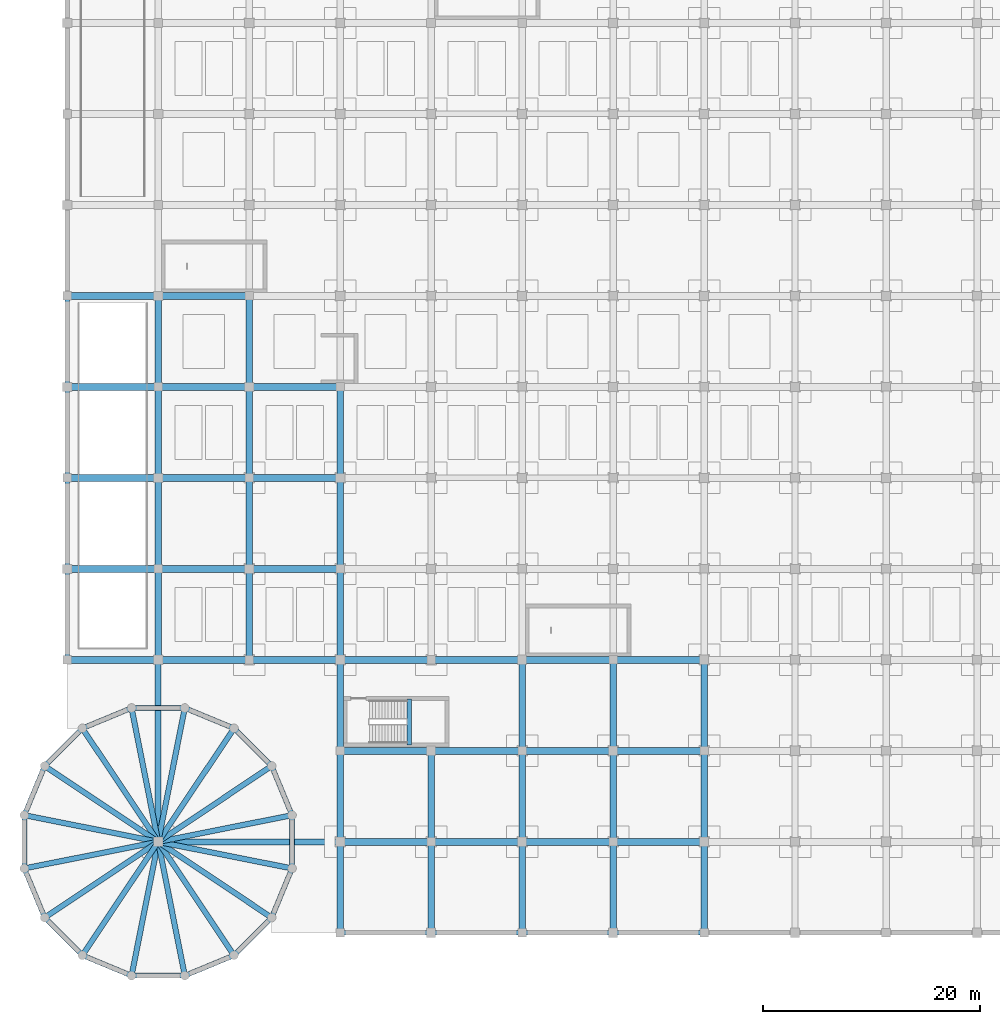
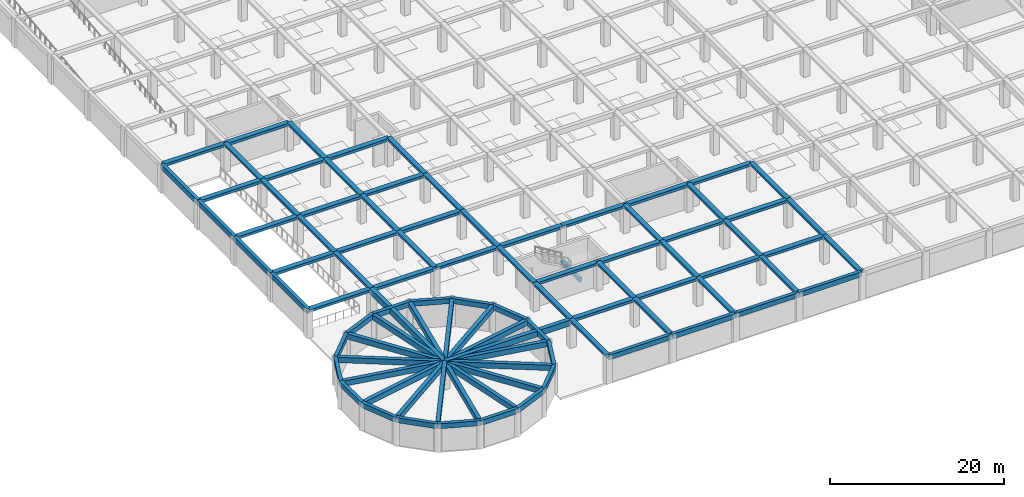
# One storey, part 3 of 32: 94 beams.
"""IFC4 building model written with IfcOpenShell, lengths in metres."""

from ifc_helpers import new_model, si_unit, direction, frame, origin, origin_2d, place, context, subcontext, project, spatial, rectangle, extrude, material, material_profile, profile_set, type_object, element, save


model = new_model("IFC4")

# Units and contexts
model_context = context("Model", 3, precision=1e-05, world=origin(), true_north=direction((0.0, 1.0)))
body_context = subcontext(model_context, "Body", "Model", "MODEL_VIEW")
ifc_project = project(units=[si_unit("LENGTHUNIT", "METRE"), si_unit("AREAUNIT", "SQUARE_METRE"), si_unit("VOLUMEUNIT", "CUBIC_METRE"), si_unit("PLANEANGLEUNIT", "RADIAN"), si_unit("MASSUNIT", "GRAM", prefix="KILO")], contexts=[model_context])

# Site, building, storey
site_placement = place(None, origin())
site = spatial("IfcSite", under=ifc_project, at=site_placement, CompositionType="ELEMENT")
building_placement = place(site_placement, origin())
building = spatial("IfcBuilding", under=site, at=building_placement, Name="Almacenes y Pasaje Nevantli", CompositionType="ELEMENT")
storey_placement = place(building_placement, frame((0.0, 0.0, -4.199951171875)))
storey = spatial("IfcBuildingStorey", under=building, at=storey_placement, Name="B01", CompositionType="ELEMENT", Elevation=-4.199951171875)

# Beams
ifc_material_1 = material(Name="Concrete C35/45", Category="concrete")
ifc_material_profile_1 = material_profile(ifc_material_1, rectangle(XDim=0.39990234375, YDim=0.60009765625, at=origin_2d()), Name="RC-BM-400x600")
ifc_profile_set_1 = profile_set([ifc_material_profile_1], Name="Concrete C35/45")
beam_type_1 = type_object("IfcBeamType", Name="BM-RC-400x600", PredefinedType="SPANDREL", material=ifc_profile_set_1)
beam_1_placement = place(storey_placement, frame((31.580078125, 17.35009765625, 1.599853515625), z_axis=(0.0, 1.0, 0.0), x_axis=(-1.0, 0.0, 0.0)))
element("IfcBeam", 1, at=beam_1_placement, inside=storey, type_object=beam_type_1, Name="B01 Stair ST-04 Half-Landing Support Beam", PredefinedType="SPANDREL", context=body_context, shape_type="SweptSolid", body=[
    extrude(rectangle(XDim=0.39990234375, YDim=0.60009765625, at=origin_2d()), origin(), (0.0, 0.0, 1.0), 4.25),
])
ifc_material_2 = material(Name="Concrete C35/45", Category="concrete")
ifc_material_profile_2 = material_profile(ifc_material_2, rectangle(XDim=0.449951171875, YDim=0.64990234375, at=origin_2d()), Name="RC-BM-450x650")
ifc_profile_set_2 = profile_set([ifc_material_profile_2], Name="Concrete C35/45")
beam_type_2 = type_object("IfcBeamType", Name="BM-RC-450x650", PredefinedType="SPANDREL", material=ifc_profile_set_2)
beam_2_placement = place(storey_placement, frame((25.199951171875, 0.0, 3.554931640625), z_axis=(1.0, 0.0, 0.0), x_axis=(0.0, 1.0, 0.0)))
element("IfcBeam", 2, at=beam_2_placement, inside=storey, type_object=beam_type_2, Name="B01 East-West Reinforced Concrete Beam #605", PredefinedType="SPANDREL", context=body_context, shape_type="SweptSolid", body=[
    extrude(rectangle(XDim=0.449951171875, YDim=0.64990234375, at=origin_2d()), origin(), (0.0, 0.0, 1.0), 8.400146484375),
])
beam_3_placement = place(storey_placement, frame((42.0, 0.0, 3.554931640625), z_axis=(1.0, 0.0, 0.0), x_axis=(0.0, 1.0, 0.0)))
element("IfcBeam", 3, at=beam_3_placement, inside=storey, type_object=beam_type_2, Name="B01 East-West Reinforced Concrete Beam #607", PredefinedType="SPANDREL", context=body_context, shape_type="SweptSolid", body=[
    extrude(rectangle(XDim=0.449951171875, YDim=0.64990234375, at=origin_2d()), origin(), (0.0, 0.0, 1.0), 8.39990234375),
])
ifc_material_3 = material(Name="Concrete C35/45", Category="concrete")
ifc_material_profile_3 = material_profile(ifc_material_3, rectangle(XDim=0.449951171875, YDim=0.699951171875, at=origin_2d()), Name="RC-BM-450x700")
ifc_profile_set_3 = profile_set([ifc_material_profile_3], Name="Concrete C35/45")
beam_type_3 = type_object("IfcBeamType", Name="BM-RC-450x700", PredefinedType="SPANDREL", material=ifc_profile_set_3)
beam_4_placement = place(storey_placement, frame((33.60009765625, 0.0, 3.530029296875), z_axis=(1.0, 0.0, 0.0), x_axis=(0.0, 1.0, 0.0)))
element("IfcBeam", 4, at=beam_4_placement, inside=storey, type_object=beam_type_3, Name="B01 East-West Reinforced Concrete Beam #606", PredefinedType="SPANDREL", context=body_context, shape_type="SweptSolid", body=[
    extrude(rectangle(XDim=0.449951171875, YDim=0.699951171875, at=origin_2d()), origin(), (0.0, 0.0, 1.0), 8.39990234375),
])
for number, where, z_axis, x_axis, name in (
    (5, (50.39990234375, 0.0, 3.530029296875), (1.0, 0.0, 0.0), (0.0, 1.0, 0.0), "B01 East-West Reinforced Concrete Beam #608"),
    (6, (0.0, 25.199951171875, 3.530029296875), (0.0, 1.0, 0.0), (-1.0, 0.0, 0.0), "B01 North-South Reinforced Concrete Beam #896"),
):
    element("IfcBeam", number, at=place(storey_placement, frame(where, z_axis=z_axis, x_axis=x_axis)), inside=storey, type_object=beam_type_3, Name=name, PredefinedType="SPANDREL", context=body_context, shape_type="SweptSolid", body=[
        extrude(rectangle(XDim=0.449951171875, YDim=0.699951171875, at=origin_2d()), origin(), (0.0, 0.0, 1.0), 8.400146484375),
    ])
for number, where, z_axis, x_axis, name in (
    (7, (0.0, 33.60009765625, 3.530029296875), (0.0, 1.0, 0.0), (-1.0, 0.0, 0.0), "B01 North-South Reinforced Concrete Beam #897"),
    (8, (0.0, 42.0, 3.530029296875), (0.0, 1.0, 0.0), (-1.0, 0.0, 0.0), "B01 North-South Reinforced Concrete Beam #898"),
):
    element("IfcBeam", number, at=place(storey_placement, frame(where, z_axis=z_axis, x_axis=x_axis)), inside=storey, type_object=beam_type_3, Name=name, PredefinedType="SPANDREL", context=body_context, shape_type="SweptSolid", body=[
        extrude(rectangle(XDim=0.449951171875, YDim=0.699951171875, at=origin_2d()), origin(), (0.0, 0.0, 1.0), 8.39990234375),
    ])
beam_5_placement = place(storey_placement, frame((0.0, 50.39990234375, 3.530029296875), z_axis=(0.0, 1.0, 0.0), x_axis=(-1.0, 0.0, 0.0)))
element("IfcBeam", 9, at=beam_5_placement, inside=storey, type_object=beam_type_3, Name="B01 North-South Reinforced Concrete Beam #899", PredefinedType="SPANDREL", context=body_context, shape_type="SweptSolid", body=[
    extrude(rectangle(XDim=0.449951171875, YDim=0.699951171875, at=origin_2d()), origin(), (0.0, 0.0, 1.0), 8.400146484375),
])
for number, where, z_axis, x_axis, name in (
    (10, (20.7578125, 10.858154296875, 3.530029296875), (-0.382682198272, 0.923880043688, 0.0), (-0.923880043688, -0.382682198272, 0.0), "B01 Rotunda Ring Spandrel Beam #1"),
    (11, (18.87646484375, 15.400146484375, 3.530029296875), (-0.707106781187, 0.707106781187, 0.0), (-0.707106781187, -0.707106781187, 0.0), "B01 Rotunda Ring Spandrel Beam #2"),
    (12, (15.400146484375, 18.87646484375, 3.530029296875), (-0.923880043688, 0.382682198272, 0.0), (-0.382682198272, -0.923880043688, 0.0), "B01 Rotunda Ring Spandrel Beam #3"),
    (13, (10.858154296875, 20.7578125, 3.530029296875), (-1.0, 0.0, 0.0), (0.0, -1.0, 0.0), "B01 Rotunda Ring Spandrel Beam #4"),
    (14, (5.94189453125, 20.7578125, 3.530029296875), (-0.923880043688, -0.382682198272, 0.0), (0.382682198272, -0.923880043688, 0.0), "B01 Rotunda Ring Spandrel Beam #5"),
    (15, (1.39990234375, 18.87646484375, 3.530029296875), (-0.707106781187, -0.707106781187, 0.0), (0.707106781187, -0.707106781187, 0.0), "B01 Rotunda Ring Spandrel Beam #6"),
    (16, (-2.076416015625, 15.400146484375, 3.530029296875), (-0.38272458482, -0.923862485532, 0.0), (0.923862485532, -0.38272458482, 0.0), "B01 Rotunda Ring Spandrel Beam #7"),
    (17, (-3.9580078125, 10.858154296875, 3.530029296875), (0.0, -1.0, 0.0), (1.0, 0.0, 0.0), "B01 Rotunda Ring Spandrel Beam #8"),
    (18, (-3.9580078125, 5.94189453125, 3.530029296875), (0.38272458482, -0.923862485532, 0.0), (0.923862485532, 0.38272458482, 0.0), "B01 Rotunda Ring Spandrel Beam #9"),
    (19, (-2.076416015625, 1.39990234375, 3.530029296875), (0.707106781187, -0.707106781187, 0.0), (0.707106781187, 0.707106781187, 0.0), "B01 Rotunda Ring Spandrel Beam #10"),
    (20, (1.39990234375, -2.076416015625, 3.530029296875), (0.923862485532, -0.38272458482, 0.0), (0.38272458482, 0.923862485532, 0.0), "B01 Rotunda Ring Spandrel Beam #11"),
    (21, (5.94189453125, -3.9580078125, 3.530029296875), (1.0, 0.0, 0.0), (0.0, 1.0, 0.0), "B01 Rotunda Ring Spandrel Beam #12"),
    (22, (10.858154296875, -3.9580078125, 3.530029296875), (0.923862485532, 0.38272458482, 0.0), (-0.38272458482, 0.923862485532, 0.0), "B01 Rotunda Ring Spandrel Beam #13"),
    (23, (15.400146484375, -2.076416015625, 3.530029296875), (0.707106781187, 0.707106781187, 0.0), (-0.707106781187, 0.707106781187, 0.0), "B01 Rotunda Ring Spandrel Beam #14"),
    (24, (18.87646484375, 1.39990234375, 3.530029296875), (0.382682198272, 0.923880043688, 0.0), (-0.923880043688, 0.382682198272, 0.0), "B01 Rotunda Ring Spandrel Beam #15"),
    (25, (20.7578125, 5.94189453125, 3.530029296875), (0.0, 1.0, 0.0), (-1.0, 0.0, 0.0), "B01 Rotunda Ring Spandrel Beam #16"),
):
    element("IfcBeam", number, at=place(storey_placement, frame(where, z_axis=z_axis, x_axis=x_axis)), inside=storey, type_object=beam_type_3, Name=name, PredefinedType="SPANDREL", context=body_context, shape_type="SweptSolid", body=[
        extrude(rectangle(XDim=0.449951171875, YDim=0.699951171875, at=origin_2d()), origin(), (0.0, 0.0, 1.0), 4.916259765625),
    ])
ifc_material_4 = material(Name="Concrete C35/45", Category="concrete")
ifc_material_profile_4 = material_profile(ifc_material_4, rectangle(XDim=0.5, YDim=0.75, at=origin_2d()), Name="RC-BM-500x750")
ifc_profile_set_4 = profile_set([ifc_material_profile_4], Name="Concrete C35/45")
beam_type_4 = type_object("IfcBeamType", Name="BM-RC-500x750", PredefinedType="BEAM", material=ifc_profile_set_4)
for number, where, z_axis, x_axis, name in (
    (26, (8.39990234375, 8.39990234375, 3.5048828125), (0.980783597961, 0.195098780036, 0.0), (-0.195098780036, 0.980783597961, 0.0), "B01 Rotunda Radial Girder #1"),
    (27, (8.39990234375, 8.39990234375, 3.5048828125), (0.831468553537, 0.55557181757, 0.0), (-0.55557181757, 0.831468553537, 0.0), "B01 Rotunda Radial Girder #2"),
    (28, (8.39990234375, 8.39990234375, 3.5048828125), (0.55557181757, 0.831468553537, 0.0), (-0.831468553537, 0.55557181757, 0.0), "B01 Rotunda Radial Girder #3"),
    (29, (8.39990234375, 8.39990234375, 3.5048828125), (0.195098780036, 0.980783597961, 0.0), (-0.980783597961, 0.195098780036, 0.0), "B01 Rotunda Radial Girder #4"),
    (30, (8.39990234375, 8.39990234375, 3.5048828125), (-0.195080141274, 0.980787305424, 0.0), (-0.980787305424, -0.195080141274, 0.0), "B01 Rotunda Radial Girder #5"),
):
    element("IfcBeam", number, at=place(storey_placement, frame(where, z_axis=z_axis, x_axis=x_axis)), inside=storey, type_object=beam_type_4, Name=name, PredefinedType="BEAM", context=body_context, shape_type="SweptSolid", body=[
        extrude(rectangle(XDim=0.5, YDim=0.75, at=origin_2d()), origin(), (0.0, 0.0, 1.0), 12.60009765625),
    ])
for number, where, z_axis, x_axis, name in (
    (31, (8.39990234375, 8.39990234375, 3.5048828125), (-0.55555842186, 0.831477504146, 0.0), (-0.831477504146, -0.55555842186, 0.0), "B01 Rotunda Radial Girder #6"),
    (32, (8.39990234375, 8.39990234375, 3.5048828125), (-0.831462572755, 0.555580768302, 0.0), (-0.555580768302, -0.831462572755, 0.0), "B01 Rotunda Radial Girder #7"),
):
    element("IfcBeam", number, at=place(storey_placement, frame(where, z_axis=z_axis, x_axis=x_axis)), inside=storey, type_object=beam_type_4, Name=name, PredefinedType="BEAM", context=body_context, shape_type="SweptSolid", body=[
        extrude(rectangle(XDim=0.5, YDim=0.75, at=origin_2d()), origin(), (0.0, 0.0, 1.0), 12.599853515625),
    ])
for number, where, z_axis, x_axis, name in (
    (33, (8.39990234375, 8.39990234375, 3.5048828125), (-0.980783597961, 0.195098780036, 0.0), (-0.195098780036, -0.980783597961, 0.0), "B01 Rotunda Radial Girder #8"),
    (34, (8.39990234375, 8.39990234375, 3.5048828125), (-0.980787305424, -0.195080141274, 0.0), (0.195080141274, -0.980787305424, 0.0), "B01 Rotunda Radial Girder #9"),
):
    element("IfcBeam", number, at=place(storey_placement, frame(where, z_axis=z_axis, x_axis=x_axis)), inside=storey, type_object=beam_type_4, Name=name, PredefinedType="BEAM", context=body_context, shape_type="SweptSolid", body=[
        extrude(rectangle(XDim=0.5, YDim=0.75, at=origin_2d()), origin(), (0.0, 0.0, 1.0), 12.60009765625),
    ])
for number, where, z_axis, x_axis, name in (
    (35, (8.39990234375, 8.39990234375, 3.5048828125), (-0.831471523588, -0.555567372569, 0.0), (0.555567372569, -0.831471523588, 0.0), "B01 Rotunda Radial Girder #10"),
    (36, (8.39990234375, 8.39990234375, 3.5048828125), (-0.555567372569, -0.831471523588, 0.0), (0.831471523588, -0.555567372569, 0.0), "B01 Rotunda Radial Girder #11"),
):
    element("IfcBeam", number, at=place(storey_placement, frame(where, z_axis=z_axis, x_axis=x_axis)), inside=storey, type_object=beam_type_4, Name=name, PredefinedType="BEAM", context=body_context, shape_type="SweptSolid", body=[
        extrude(rectangle(XDim=0.5, YDim=0.75, at=origin_2d()), origin(), (0.0, 0.0, 1.0), 12.599853515625),
    ])
for number, where, z_axis, x_axis, name in (
    (37, (8.39990234375, 8.39990234375, 3.5048828125), (-0.195080141274, -0.980787305424, 0.0), (0.980787305424, -0.195080141274, 0.0), "B01 Rotunda Radial Girder #12"),
    (38, (8.39990234375, 8.39990234375, 3.5048828125), (0.195098780036, -0.980783597961, 0.0), (0.980783597961, 0.195098780036, 0.0), "B01 Rotunda Radial Girder #13"),
):
    element("IfcBeam", number, at=place(storey_placement, frame(where, z_axis=z_axis, x_axis=x_axis)), inside=storey, type_object=beam_type_4, Name=name, PredefinedType="BEAM", context=body_context, shape_type="SweptSolid", body=[
        extrude(rectangle(XDim=0.5, YDim=0.75, at=origin_2d()), origin(), (0.0, 0.0, 1.0), 12.60009765625),
    ])
for number, where, z_axis, x_axis, name in (
    (39, (8.39990234375, 8.39990234375, 3.5048828125), (0.555580768302, -0.831462572755, 0.0), (0.831462572755, 0.555580768302, 0.0), "B01 Rotunda Radial Girder #14"),
    (40, (8.39990234375, 8.39990234375, 3.5048828125), (0.831477504146, -0.55555842186, 0.0), (0.55555842186, 0.831477504146, 0.0), "B01 Rotunda Radial Girder #15"),
):
    element("IfcBeam", number, at=place(storey_placement, frame(where, z_axis=z_axis, x_axis=x_axis)), inside=storey, type_object=beam_type_4, Name=name, PredefinedType="BEAM", context=body_context, shape_type="SweptSolid", body=[
        extrude(rectangle(XDim=0.5, YDim=0.75, at=origin_2d()), origin(), (0.0, 0.0, 1.0), 12.599853515625),
    ])
beam_6_placement = place(storey_placement, frame((8.39990234375, 8.39990234375, 3.5048828125), z_axis=(0.980787305424, -0.195080141274, 0.0), x_axis=(0.195080141274, 0.980787305424, 0.0)))
element("IfcBeam", 41, at=beam_6_placement, inside=storey, type_object=beam_type_4, Name="B01 Rotunda Radial Girder #16", PredefinedType="BEAM", context=body_context, shape_type="SweptSolid", body=[
    extrude(rectangle(XDim=0.5, YDim=0.75, at=origin_2d()), origin(), (0.0, 0.0, 1.0), 12.60009765625),
])
ifc_material_5 = material(Name="Concrete C35/45", Category="concrete")
ifc_material_profile_5 = material_profile(ifc_material_5, rectangle(XDim=0.550048828125, YDim=0.800048828125, at=origin_2d()), Name="RC-BM-550x800")
ifc_profile_set_5 = profile_set([ifc_material_profile_5], Name="Concrete C35/45")
beam_type_5 = type_object("IfcBeamType", Name="BM-RC-550x800", PredefinedType="BEAM", material=ifc_profile_set_5)
for number, where, z_axis, x_axis, name in (
    (42, (8.39990234375, 8.39990234375, 3.47998046875), (1.0, 0.0, 0.0), (0.0, 1.0, 0.0), "B01 Rotunda-to-Grid Collector Girder #1207"),
    (43, (8.39990234375, 8.39990234375, 3.47998046875), (0.0, 1.0, 0.0), (-1.0, 0.0, 0.0), "B01 Rotunda-to-Grid Collector Girder #1208"),
):
    element("IfcBeam", number, at=place(storey_placement, frame(where, z_axis=z_axis, x_axis=x_axis)), inside=storey, type_object=beam_type_5, Name=name, PredefinedType="BEAM", context=body_context, shape_type="SweptSolid", body=[
        extrude(rectangle(XDim=0.550048828125, YDim=0.800048828125, at=origin_2d()), origin(), (0.0, 0.0, 1.0), 16.800048828125),
    ])
ifc_material_6 = material(Name="Concrete C35/45", Category="concrete")
ifc_material_profile_6 = material_profile(ifc_material_6, rectangle(XDim=0.60009765625, YDim=0.320068359375, at=origin_2d()), Name="RC-BM-600x320")
ifc_profile_set_6 = profile_set([ifc_material_profile_6], Name="Concrete C35/45")
beam_type_6 = type_object("IfcBeamType", Name="BM-RC-600x320", PredefinedType="BEAM", material=ifc_profile_set_6)
beam_7_placement = place(storey_placement, frame((8.39990234375, 33.60009765625, 3.719970703125), z_axis=(0.0, 1.0, 0.0), x_axis=(-1.0, 0.0, 0.0)))
element("IfcBeam", 44, at=beam_7_placement, inside=storey, type_object=beam_type_6, Name="B01 North-South Reinforced Concrete Beam #908", PredefinedType="BEAM", context=body_context, shape_type="SweptSolid", body=[
    extrude(rectangle(XDim=0.60009765625, YDim=0.320068359375, at=origin_2d()), origin(), (0.0, 0.0, 1.0), 8.39990234375),
])
for number, where, z_axis, x_axis, name in (
    (45, (8.39990234375, 50.39990234375, 3.719970703125), (0.0, 1.0, 0.0), (-1.0, 0.0, 0.0), "B01 North-South Reinforced Concrete Beam #910"),
    (46, (16.800048828125, 25.199951171875, 3.719970703125), (0.0, 1.0, 0.0), (-1.0, 0.0, 0.0), "B01 North-South Reinforced Concrete Beam #918"),
):
    element("IfcBeam", number, at=place(storey_placement, frame(where, z_axis=z_axis, x_axis=x_axis)), inside=storey, type_object=beam_type_6, Name=name, PredefinedType="BEAM", context=body_context, shape_type="SweptSolid", body=[
        extrude(rectangle(XDim=0.60009765625, YDim=0.320068359375, at=origin_2d()), origin(), (0.0, 0.0, 1.0), 8.400146484375),
    ])
for number, where, z_axis, x_axis, name in (
    (47, (16.800048828125, 42.0, 3.719970703125), (0.0, 1.0, 0.0), (-1.0, 0.0, 0.0), "B01 North-South Reinforced Concrete Beam #920"),
    (48, (25.199951171875, 0.0, 3.719970703125), (0.0, 1.0, 0.0), (-1.0, 0.0, 0.0), "B01 North-South Reinforced Concrete Beam #928"),
    (49, (25.199951171875, 16.800048828125, 3.719970703125), (0.0, 1.0, 0.0), (-1.0, 0.0, 0.0), "B01 North-South Reinforced Concrete Beam #930"),
    (50, (25.199951171875, 33.60009765625, 3.719970703125), (0.0, 1.0, 0.0), (-1.0, 0.0, 0.0), "B01 North-South Reinforced Concrete Beam #932"),
):
    element("IfcBeam", number, at=place(storey_placement, frame(where, z_axis=z_axis, x_axis=x_axis)), inside=storey, type_object=beam_type_6, Name=name, PredefinedType="BEAM", context=body_context, shape_type="SweptSolid", body=[
        extrude(rectangle(XDim=0.60009765625, YDim=0.320068359375, at=origin_2d()), origin(), (0.0, 0.0, 1.0), 8.39990234375),
    ])
beam_8_placement = place(storey_placement, frame((33.60009765625, 8.39990234375, 3.719970703125), z_axis=(0.0, 1.0, 0.0), x_axis=(-1.0, 0.0, 0.0)))
element("IfcBeam", 51, at=beam_8_placement, inside=storey, type_object=beam_type_6, Name="B01 North-South Reinforced Concrete Beam #943", PredefinedType="BEAM", context=body_context, shape_type="SweptSolid", body=[
    extrude(rectangle(XDim=0.60009765625, YDim=0.320068359375, at=origin_2d()), origin(), (0.0, 0.0, 1.0), 8.400146484375),
])
for number, where, z_axis, x_axis, name in (
    (52, (42.0, 0.0, 3.719970703125), (0.0, 1.0, 0.0), (-1.0, 0.0, 0.0), "B01 North-South Reinforced Concrete Beam #955"),
    (53, (42.0, 16.800048828125, 3.719970703125), (0.0, 1.0, 0.0), (-1.0, 0.0, 0.0), "B01 North-South Reinforced Concrete Beam #957"),
):
    element("IfcBeam", number, at=place(storey_placement, frame(where, z_axis=z_axis, x_axis=x_axis)), inside=storey, type_object=beam_type_6, Name=name, PredefinedType="BEAM", context=body_context, shape_type="SweptSolid", body=[
        extrude(rectangle(XDim=0.60009765625, YDim=0.320068359375, at=origin_2d()), origin(), (0.0, 0.0, 1.0), 8.39990234375),
    ])
beam_9_placement = place(storey_placement, frame((50.39990234375, 8.39990234375, 3.719970703125), z_axis=(0.0, 1.0, 0.0), x_axis=(-1.0, 0.0, 0.0)))
element("IfcBeam", 54, at=beam_9_placement, inside=storey, type_object=beam_type_6, Name="B01 North-South Reinforced Concrete Beam #970", PredefinedType="BEAM", context=body_context, shape_type="SweptSolid", body=[
    extrude(rectangle(XDim=0.60009765625, YDim=0.320068359375, at=origin_2d()), origin(), (0.0, 0.0, 1.0), 8.400146484375),
])
for number, where, z_axis, x_axis, name in (
    (55, (58.800048828125, 0.0, 3.719970703125), (0.0, 1.0, 0.0), (-1.0, 0.0, 0.0), "B01 North-South Reinforced Concrete Beam #983"),
    (56, (58.800048828125, 16.800048828125, 3.719970703125), (0.0, 1.0, 0.0), (-1.0, 0.0, 0.0), "B01 North-South Reinforced Concrete Beam #985"),
):
    element("IfcBeam", number, at=place(storey_placement, frame(where, z_axis=z_axis, x_axis=x_axis)), inside=storey, type_object=beam_type_6, Name=name, PredefinedType="BEAM", context=body_context, shape_type="SweptSolid", body=[
        extrude(rectangle(XDim=0.60009765625, YDim=0.320068359375, at=origin_2d()), origin(), (0.0, 0.0, 1.0), 8.39990234375),
    ])
ifc_material_7 = material(Name="Concrete C35/45", Category="concrete")
ifc_material_profile_7 = material_profile(ifc_material_7, rectangle(XDim=0.60009765625, YDim=0.340087890625, at=origin_2d()), Name="RC-BM-600x340")
ifc_profile_set_7 = profile_set([ifc_material_profile_7], Name="Concrete C35/45")
beam_type_7 = type_object("IfcBeamType", Name="BM-RC-600x340", PredefinedType="BEAM", material=ifc_profile_set_7)
beam_10_placement = place(storey_placement, frame((8.39990234375, 25.199951171875, 3.7099609375), z_axis=(0.0, 1.0, 0.0), x_axis=(-1.0, 0.0, 0.0)))
element("IfcBeam", 57, at=beam_10_placement, inside=storey, type_object=beam_type_7, Name="B01 North-South Reinforced Concrete Beam #907", PredefinedType="BEAM", context=body_context, shape_type="SweptSolid", body=[
    extrude(rectangle(XDim=0.60009765625, YDim=0.340087890625, at=origin_2d()), origin(), (0.0, 0.0, 1.0), 8.400146484375),
])
for number, where, z_axis, x_axis, name in (
    (58, (8.39990234375, 42.0, 3.7099609375), (0.0, 1.0, 0.0), (-1.0, 0.0, 0.0), "B01 North-South Reinforced Concrete Beam #909"),
    (59, (16.800048828125, 33.60009765625, 3.7099609375), (0.0, 1.0, 0.0), (-1.0, 0.0, 0.0), "B01 North-South Reinforced Concrete Beam #919"),
):
    element("IfcBeam", number, at=place(storey_placement, frame(where, z_axis=z_axis, x_axis=x_axis)), inside=storey, type_object=beam_type_7, Name=name, PredefinedType="BEAM", context=body_context, shape_type="SweptSolid", body=[
        extrude(rectangle(XDim=0.60009765625, YDim=0.340087890625, at=origin_2d()), origin(), (0.0, 0.0, 1.0), 8.39990234375),
    ])
for number, where, z_axis, x_axis, name in (
    (60, (16.800048828125, 50.39990234375, 3.7099609375), (0.0, 1.0, 0.0), (-1.0, 0.0, 0.0), "B01 North-South Reinforced Concrete Beam #921"),
    (61, (25.199951171875, 8.39990234375, 3.7099609375), (0.0, 1.0, 0.0), (-1.0, 0.0, 0.0), "B01 North-South Reinforced Concrete Beam #929"),
    (62, (25.199951171875, 25.199951171875, 3.7099609375), (0.0, 1.0, 0.0), (-1.0, 0.0, 0.0), "B01 North-South Reinforced Concrete Beam #931"),
):
    element("IfcBeam", number, at=place(storey_placement, frame(where, z_axis=z_axis, x_axis=x_axis)), inside=storey, type_object=beam_type_7, Name=name, PredefinedType="BEAM", context=body_context, shape_type="SweptSolid", body=[
        extrude(rectangle(XDim=0.60009765625, YDim=0.340087890625, at=origin_2d()), origin(), (0.0, 0.0, 1.0), 8.400146484375),
    ])
for number, where, z_axis, x_axis, name in (
    (63, (25.199951171875, 42.0, 3.7099609375), (0.0, 1.0, 0.0), (-1.0, 0.0, 0.0), "B01 North-South Reinforced Concrete Beam #933"),
    (64, (33.60009765625, 0.0, 3.7099609375), (0.0, 1.0, 0.0), (-1.0, 0.0, 0.0), "B01 North-South Reinforced Concrete Beam #942"),
):
    element("IfcBeam", number, at=place(storey_placement, frame(where, z_axis=z_axis, x_axis=x_axis)), inside=storey, type_object=beam_type_7, Name=name, PredefinedType="BEAM", context=body_context, shape_type="SweptSolid", body=[
        extrude(rectangle(XDim=0.60009765625, YDim=0.340087890625, at=origin_2d()), origin(), (0.0, 0.0, 1.0), 8.39990234375),
    ])
beam_11_placement = place(storey_placement, frame((42.0, 8.39990234375, 3.7099609375), z_axis=(0.0, 1.0, 0.0), x_axis=(-1.0, 0.0, 0.0)))
element("IfcBeam", 65, at=beam_11_placement, inside=storey, type_object=beam_type_7, Name="B01 North-South Reinforced Concrete Beam #956", PredefinedType="BEAM", context=body_context, shape_type="SweptSolid", body=[
    extrude(rectangle(XDim=0.60009765625, YDim=0.340087890625, at=origin_2d()), origin(), (0.0, 0.0, 1.0), 8.400146484375),
])
for number, where, z_axis, x_axis, name in (
    (66, (50.39990234375, 0.0, 3.7099609375), (0.0, 1.0, 0.0), (-1.0, 0.0, 0.0), "B01 North-South Reinforced Concrete Beam #969"),
    (67, (50.39990234375, 16.800048828125, 3.7099609375), (0.0, 1.0, 0.0), (-1.0, 0.0, 0.0), "B01 North-South Reinforced Concrete Beam #971"),
):
    element("IfcBeam", number, at=place(storey_placement, frame(where, z_axis=z_axis, x_axis=x_axis)), inside=storey, type_object=beam_type_7, Name=name, PredefinedType="BEAM", context=body_context, shape_type="SweptSolid", body=[
        extrude(rectangle(XDim=0.60009765625, YDim=0.340087890625, at=origin_2d()), origin(), (0.0, 0.0, 1.0), 8.39990234375),
    ])
beam_12_placement = place(storey_placement, frame((58.800048828125, 8.39990234375, 3.7099609375), z_axis=(0.0, 1.0, 0.0), x_axis=(-1.0, 0.0, 0.0)))
element("IfcBeam", 68, at=beam_12_placement, inside=storey, type_object=beam_type_7, Name="B01 North-South Reinforced Concrete Beam #984", PredefinedType="BEAM", context=body_context, shape_type="SweptSolid", body=[
    extrude(rectangle(XDim=0.60009765625, YDim=0.340087890625, at=origin_2d()), origin(), (0.0, 0.0, 1.0), 8.400146484375),
])
ifc_material_8 = material(Name="Concrete C35/45", Category="concrete")
ifc_material_profile_8 = material_profile(ifc_material_8, rectangle(XDim=0.64990234375, YDim=0.35009765625, at=origin_2d()), Name="RC-BM-650x350")
ifc_profile_set_8 = profile_set([ifc_material_profile_8], Name="Concrete C35/45")
beam_type_8 = type_object("IfcBeamType", Name="BM-RC-650x350", PredefinedType="BEAM", material=ifc_profile_set_8)
beam_13_placement = place(storey_placement, frame((33.60009765625, 8.39990234375, 3.704833984375), z_axis=(1.0, 0.0, 0.0), x_axis=(0.0, 1.0, 0.0)))
element("IfcBeam", 69, at=beam_13_placement, inside=storey, type_object=beam_type_8, Name="B01 East-West Reinforced Concrete Beam #623", PredefinedType="BEAM", context=body_context, shape_type="SweptSolid", body=[
    extrude(rectangle(XDim=0.64990234375, YDim=0.35009765625, at=origin_2d()), origin(), (0.0, 0.0, 1.0), 8.39990234375),
])
for number, where, z_axis, x_axis, name in (
    (70, (50.39990234375, 8.39990234375, 3.704833984375), (1.0, 0.0, 0.0), (0.0, 1.0, 0.0), "B01 East-West Reinforced Concrete Beam #625"),
    (71, (25.199951171875, 16.800048828125, 3.704833984375), (1.0, 0.0, 0.0), (0.0, 1.0, 0.0), "B01 East-West Reinforced Concrete Beam #639"),
):
    element("IfcBeam", number, at=place(storey_placement, frame(where, z_axis=z_axis, x_axis=x_axis)), inside=storey, type_object=beam_type_8, Name=name, PredefinedType="BEAM", context=body_context, shape_type="SweptSolid", body=[
        extrude(rectangle(XDim=0.64990234375, YDim=0.35009765625, at=origin_2d()), origin(), (0.0, 0.0, 1.0), 8.400146484375),
    ])
for number, where, z_axis, x_axis, name in (
    (72, (42.0, 16.800048828125, 3.704833984375), (1.0, 0.0, 0.0), (0.0, 1.0, 0.0), "B01 East-West Reinforced Concrete Beam #641"),
    (73, (0.0, 25.199951171875, 3.704833984375), (1.0, 0.0, 0.0), (0.0, 1.0, 0.0), "B01 East-West Reinforced Concrete Beam #656"),
    (74, (16.800048828125, 25.199951171875, 3.704833984375), (1.0, 0.0, 0.0), (0.0, 1.0, 0.0), "B01 East-West Reinforced Concrete Beam #658"),
    (75, (33.60009765625, 25.199951171875, 3.704833984375), (1.0, 0.0, 0.0), (0.0, 1.0, 0.0), "B01 East-West Reinforced Concrete Beam #660"),
):
    element("IfcBeam", number, at=place(storey_placement, frame(where, z_axis=z_axis, x_axis=x_axis)), inside=storey, type_object=beam_type_8, Name=name, PredefinedType="BEAM", context=body_context, shape_type="SweptSolid", body=[
        extrude(rectangle(XDim=0.64990234375, YDim=0.35009765625, at=origin_2d()), origin(), (0.0, 0.0, 1.0), 8.39990234375),
    ])
for number, where, z_axis, x_axis, name in (
    (76, (50.39990234375, 25.199951171875, 3.704833984375), (1.0, 0.0, 0.0), (0.0, 1.0, 0.0), "B01 East-West Reinforced Concrete Beam #662"),
    (77, (8.39990234375, 33.60009765625, 3.704833984375), (1.0, 0.0, 0.0), (0.0, 1.0, 0.0), "B01 East-West Reinforced Concrete Beam #677"),
):
    element("IfcBeam", number, at=place(storey_placement, frame(where, z_axis=z_axis, x_axis=x_axis)), inside=storey, type_object=beam_type_8, Name=name, PredefinedType="BEAM", context=body_context, shape_type="SweptSolid", body=[
        extrude(rectangle(XDim=0.64990234375, YDim=0.35009765625, at=origin_2d()), origin(), (0.0, 0.0, 1.0), 8.400146484375),
    ])
for number, where, z_axis, x_axis, name in (
    (78, (0.0, 42.0, 3.704833984375), (1.0, 0.0, 0.0), (0.0, 1.0, 0.0), "B01 East-West Reinforced Concrete Beam #696"),
    (79, (16.800048828125, 42.0, 3.704833984375), (1.0, 0.0, 0.0), (0.0, 1.0, 0.0), "B01 East-West Reinforced Concrete Beam #698"),
):
    element("IfcBeam", number, at=place(storey_placement, frame(where, z_axis=z_axis, x_axis=x_axis)), inside=storey, type_object=beam_type_8, Name=name, PredefinedType="BEAM", context=body_context, shape_type="SweptSolid", body=[
        extrude(rectangle(XDim=0.64990234375, YDim=0.35009765625, at=origin_2d()), origin(), (0.0, 0.0, 1.0), 8.39990234375),
    ])
beam_14_placement = place(storey_placement, frame((8.39990234375, 50.39990234375, 3.704833984375), z_axis=(1.0, 0.0, 0.0), x_axis=(0.0, 1.0, 0.0)))
element("IfcBeam", 80, at=beam_14_placement, inside=storey, type_object=beam_type_8, Name="B01 East-West Reinforced Concrete Beam #717", PredefinedType="BEAM", context=body_context, shape_type="SweptSolid", body=[
    extrude(rectangle(XDim=0.64990234375, YDim=0.35009765625, at=origin_2d()), origin(), (0.0, 0.0, 1.0), 8.400146484375),
])
beam_15_placement = place(storey_placement, frame((0.0, 58.800048828125, 3.704833984375), z_axis=(1.0, 0.0, 0.0), x_axis=(0.0, 1.0, 0.0)))
element("IfcBeam", 81, at=beam_15_placement, inside=storey, type_object=beam_type_8, Name="B01 East-West Reinforced Concrete Beam #736", PredefinedType="BEAM", context=body_context, shape_type="SweptSolid", body=[
    extrude(rectangle(XDim=0.64990234375, YDim=0.35009765625, at=origin_2d()), origin(), (0.0, 0.0, 1.0), 8.39990234375),
])
ifc_material_9 = material(Name="Concrete C35/45", Category="concrete")
ifc_material_profile_9 = material_profile(ifc_material_9, rectangle(XDim=0.64990234375, YDim=0.3798828125, at=origin_2d()), Name="RC-BM-650x380")
ifc_profile_set_9 = profile_set([ifc_material_profile_9], Name="Concrete C35/45")
beam_type_9 = type_object("IfcBeamType", Name="BM-RC-650x380", PredefinedType="BEAM", material=ifc_profile_set_9)
beam_16_placement = place(storey_placement, frame((25.199951171875, 8.39990234375, 3.68994140625), z_axis=(1.0, 0.0, 0.0), x_axis=(0.0, 1.0, 0.0)))
element("IfcBeam", 82, at=beam_16_placement, inside=storey, type_object=beam_type_9, Name="B01 East-West Reinforced Concrete Beam #622", PredefinedType="BEAM", context=body_context, shape_type="SweptSolid", body=[
    extrude(rectangle(XDim=0.64990234375, YDim=0.3798828125, at=origin_2d()), origin(), (0.0, 0.0, 1.0), 8.400146484375),
])
for number, where, z_axis, x_axis, name in (
    (83, (42.0, 8.39990234375, 3.68994140625), (1.0, 0.0, 0.0), (0.0, 1.0, 0.0), "B01 East-West Reinforced Concrete Beam #624"),
    (84, (33.60009765625, 16.800048828125, 3.68994140625), (1.0, 0.0, 0.0), (0.0, 1.0, 0.0), "B01 East-West Reinforced Concrete Beam #640"),
):
    element("IfcBeam", number, at=place(storey_placement, frame(where, z_axis=z_axis, x_axis=x_axis)), inside=storey, type_object=beam_type_9, Name=name, PredefinedType="BEAM", context=body_context, shape_type="SweptSolid", body=[
        extrude(rectangle(XDim=0.64990234375, YDim=0.3798828125, at=origin_2d()), origin(), (0.0, 0.0, 1.0), 8.39990234375),
    ])
for number, where, z_axis, x_axis, name in (
    (85, (50.39990234375, 16.800048828125, 3.68994140625), (1.0, 0.0, 0.0), (0.0, 1.0, 0.0), "B01 East-West Reinforced Concrete Beam #642"),
    (86, (8.39990234375, 25.199951171875, 3.68994140625), (1.0, 0.0, 0.0), (0.0, 1.0, 0.0), "B01 East-West Reinforced Concrete Beam #657"),
    (87, (25.199951171875, 25.199951171875, 3.68994140625), (1.0, 0.0, 0.0), (0.0, 1.0, 0.0), "B01 East-West Reinforced Concrete Beam #659"),
):
    element("IfcBeam", number, at=place(storey_placement, frame(where, z_axis=z_axis, x_axis=x_axis)), inside=storey, type_object=beam_type_9, Name=name, PredefinedType="BEAM", context=body_context, shape_type="SweptSolid", body=[
        extrude(rectangle(XDim=0.64990234375, YDim=0.3798828125, at=origin_2d()), origin(), (0.0, 0.0, 1.0), 8.400146484375),
    ])
for number, where, z_axis, x_axis, name in (
    (88, (42.0, 25.199951171875, 3.68994140625), (1.0, 0.0, 0.0), (0.0, 1.0, 0.0), "B01 East-West Reinforced Concrete Beam #661"),
    (89, (0.0, 33.60009765625, 3.68994140625), (1.0, 0.0, 0.0), (0.0, 1.0, 0.0), "B01 East-West Reinforced Concrete Beam #676"),
    (90, (16.800048828125, 33.60009765625, 3.68994140625), (1.0, 0.0, 0.0), (0.0, 1.0, 0.0), "B01 East-West Reinforced Concrete Beam #678"),
):
    element("IfcBeam", number, at=place(storey_placement, frame(where, z_axis=z_axis, x_axis=x_axis)), inside=storey, type_object=beam_type_9, Name=name, PredefinedType="BEAM", context=body_context, shape_type="SweptSolid", body=[
        extrude(rectangle(XDim=0.64990234375, YDim=0.3798828125, at=origin_2d()), origin(), (0.0, 0.0, 1.0), 8.39990234375),
    ])
beam_17_placement = place(storey_placement, frame((8.39990234375, 42.0, 3.68994140625), z_axis=(1.0, 0.0, 0.0), x_axis=(0.0, 1.0, 0.0)))
element("IfcBeam", 91, at=beam_17_placement, inside=storey, type_object=beam_type_9, Name="B01 East-West Reinforced Concrete Beam #697", PredefinedType="BEAM", context=body_context, shape_type="SweptSolid", body=[
    extrude(rectangle(XDim=0.64990234375, YDim=0.3798828125, at=origin_2d()), origin(), (0.0, 0.0, 1.0), 8.400146484375),
])
for number, where, z_axis, x_axis, name in (
    (92, (0.0, 50.39990234375, 3.68994140625), (1.0, 0.0, 0.0), (0.0, 1.0, 0.0), "B01 East-West Reinforced Concrete Beam #716"),
    (93, (16.800048828125, 50.39990234375, 3.68994140625), (1.0, 0.0, 0.0), (0.0, 1.0, 0.0), "B01 East-West Reinforced Concrete Beam #718"),
):
    element("IfcBeam", number, at=place(storey_placement, frame(where, z_axis=z_axis, x_axis=x_axis)), inside=storey, type_object=beam_type_9, Name=name, PredefinedType="BEAM", context=body_context, shape_type="SweptSolid", body=[
        extrude(rectangle(XDim=0.64990234375, YDim=0.3798828125, at=origin_2d()), origin(), (0.0, 0.0, 1.0), 8.39990234375),
    ])
beam_18_placement = place(storey_placement, frame((8.39990234375, 58.800048828125, 3.68994140625), z_axis=(1.0, 0.0, 0.0), x_axis=(0.0, 1.0, 0.0)))
element("IfcBeam", 94, at=beam_18_placement, inside=storey, type_object=beam_type_9, Name="B01 East-West Reinforced Concrete Beam #737", PredefinedType="BEAM", context=body_context, shape_type="SweptSolid", body=[
    extrude(rectangle(XDim=0.64990234375, YDim=0.3798828125, at=origin_2d()), origin(), (0.0, 0.0, 1.0), 8.400146484375),
])

save(model, "model.ifc")
